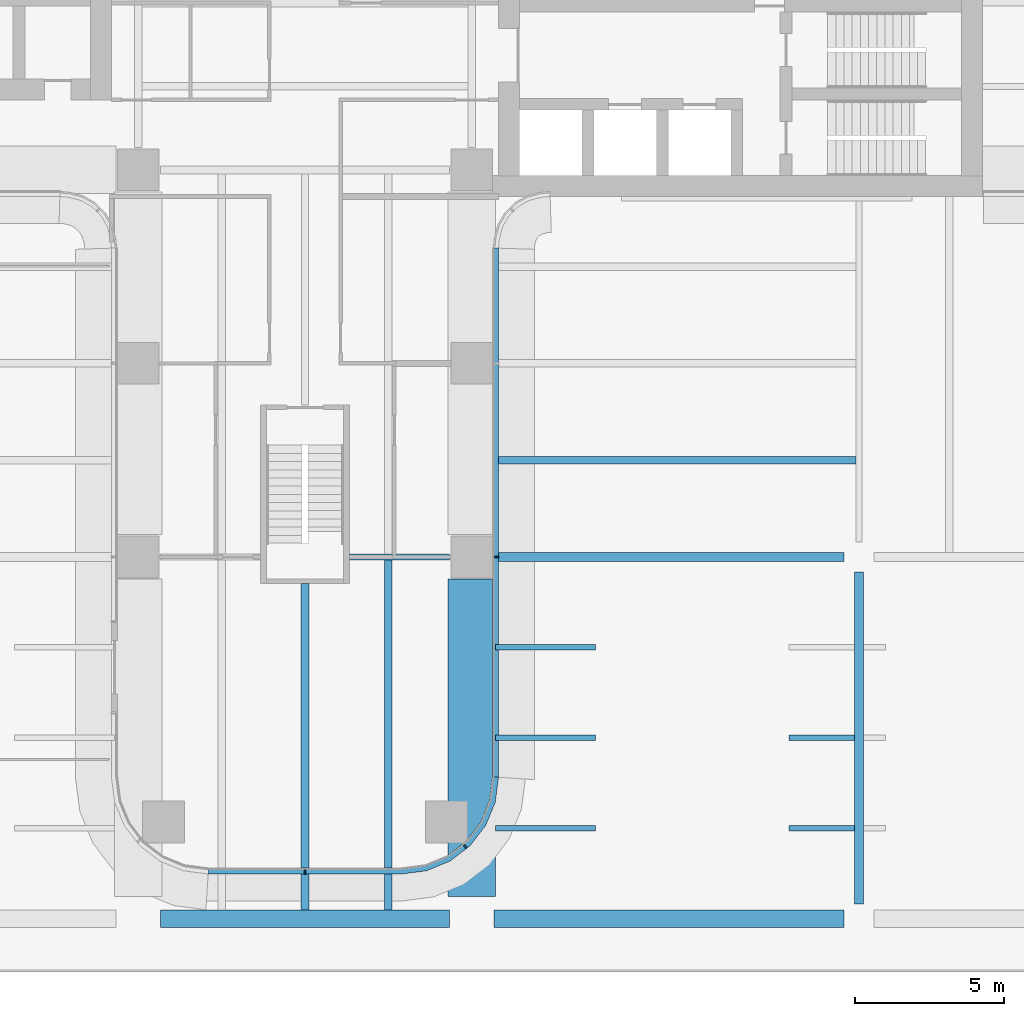
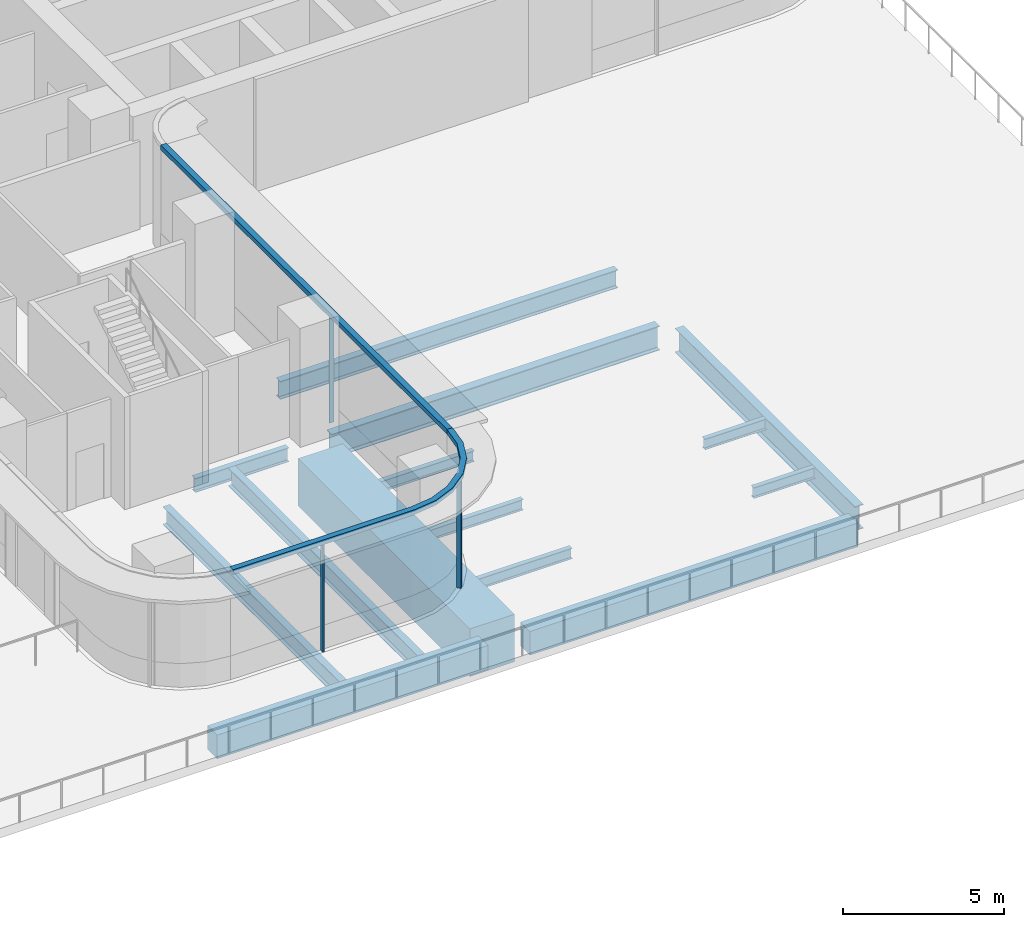
# One storey, part 5 of 29: 14 beams, 5 members, 2 elements without a shape of their own.
"""IFC4 building model written with IfcOpenShell, lengths in metres."""

from ifc_helpers import new_model, si_unit, direction, frame, origin, origin_2d, place, context, subcontext, project, spatial, polyline, rectangle, i_section, outline, extrude, source, transform, mapped, material, layer, layer_set, material_profile, profile_set, type_object, element, aggregate, save


model = new_model("IFC4")

# Units and contexts
model_context = context("Model", 3, precision=1e-05, world=origin(), true_north=direction((0.0, 1.0)))
body_context = subcontext(model_context, "Body", "Model", "MODEL_VIEW")
ifc_project = project(units=[si_unit("LENGTHUNIT", "METRE"), si_unit("AREAUNIT", "SQUARE_METRE"), si_unit("VOLUMEUNIT", "CUBIC_METRE"), si_unit("PLANEANGLEUNIT", "RADIAN"), si_unit("MASSUNIT", "GRAM", prefix="KILO")], contexts=[model_context])

# Site, building, storey
site_placement = place(None, origin())
site = spatial("IfcSite", under=ifc_project, at=site_placement, CompositionType="ELEMENT")
building_placement = place(site_placement, origin())
building = spatial("IfcBuilding", under=site, at=building_placement, Name="Trellis Farm Tower", CompositionType="ELEMENT")
storey_placement = place(building_placement, frame((0.0, 0.0, 34.0)))
storey = spatial("IfcBuildingStorey", under=building, at=storey_placement, Name="L06", CompositionType="ELEMENT", Elevation=34.0)

# Beams
ifc_material_1 = material(Name="Steel S355", Category="steel")
ifc_material_profile_1 = material_profile(ifc_material_1, i_section(OverallWidth=0.177978515625, OverallDepth=0.406494140625, WebThickness=0.0078125, FlangeThickness=0.0126953125, FilletRadius=0.01025390625, at=origin_2d()), Name="UB 406x178x60")
ifc_profile_set_1 = profile_set([ifc_material_profile_1], Name="Steel S355")
beam_type_1 = type_object("IfcBeamType", Name="UB 406x178x60 joist", PredefinedType="JOIST", material=ifc_profile_set_1)
shared_shape_1 = source(origin(), body_context, "Body", "SweptSolid", [
    extrude(i_section(OverallWidth=0.177978515625, OverallDepth=0.406494140625, WebThickness=0.0078125, FlangeThickness=0.0126953125, FilletRadius=0.01025390625, at=origin_2d()), origin(), (0.0, 0.0, 1.0), 2.197265625),
])
for number, where, z_axis, x_axis, name in (
    (1, (16.25, -27.71240234375, -0.55322265625), (1.0, 0.0, 0.0), (0.0, 1.0, 0.0), "Floor beam"),
    (2, (16.25, -24.675048828125, -0.55322265625), (1.0, 0.0, 0.0), (0.0, 1.0, 0.0), "Floor beam"),
):
    element("IfcBeam", number, at=place(storey_placement, frame(where, z_axis=z_axis, x_axis=x_axis)), inside=storey, type_object=beam_type_1, Name=name, PredefinedType="JOIST", context=body_context, shape_type="MappedRepresentation", body=[
        mapped(shared_shape_1, transform((0.0, 0.0, 0.0))),
    ])
ifc_material_profile_2 = material_profile(ifc_material_1, i_section(OverallWidth=0.209228515625, OverallDepth=0.533203125, WebThickness=0.010009765625, FlangeThickness=0.015625, FilletRadius=0.0126953125, at=origin_2d()), Name="UB 533x210x92")
ifc_profile_set_2 = profile_set([ifc_material_profile_2], Name="Steel S355")
beam_type_2 = type_object("IfcBeamType", Name="UB 533x210x92", PredefinedType="BEAM", material=ifc_profile_set_2)
shared_shape_2 = source(origin(), body_context, "Body", "SweptSolid", [
    extrude(i_section(OverallWidth=0.209228515625, OverallDepth=0.533203125, WebThickness=0.010009765625, FlangeThickness=0.015625, FilletRadius=0.0126953125, at=origin_2d()), origin(), (0.0, 0.0, 1.0), 3.35009765625),
])
beam_1_placement = place(storey_placement, frame((1.5, -18.60009765625, -0.61669921875), z_axis=(1.0, 0.0, 0.0), x_axis=(0.0, 1.0, 0.0)))
element("IfcBeam", 3, at=beam_1_placement, inside=storey, type_object=beam_type_2, Name="Girder", PredefinedType="BEAM", context=body_context, shape_type="MappedRepresentation", body=[
    mapped(shared_shape_2, transform((0.0, 0.0, 0.0))),
])
ifc_material_profile_3 = material_profile(ifc_material_1, i_section(OverallWidth=0.305419921875, OverallDepth=0.91845703125, WebThickness=0.017333984375, FlangeThickness=0.02783203125, FilletRadius=0.01904296875, at=origin_2d()), Name="UB 914x305x253")
ifc_profile_set_3 = profile_set([ifc_material_profile_3], Name="Steel S355")
beam_type_3 = type_object("IfcBeamType", Name="UB 914x305x253", PredefinedType="BEAM", material=ifc_profile_set_3)
shared_shape_3 = source(origin(), body_context, "Body", "SweptSolid", [
    extrude(i_section(OverallWidth=0.305419921875, OverallDepth=0.91845703125, WebThickness=0.017333984375, FlangeThickness=0.02783203125, FilletRadius=0.01904296875, at=origin_2d()), origin(), (0.0, 0.0, 1.0), 11.75),
])
beam_2_placement = place(storey_placement, frame((6.35009765625, -18.60009765625, -0.80908203125), z_axis=(1.0, 0.0, 0.0), x_axis=(0.0, 1.0, 0.0)))
element("IfcBeam", 4, at=beam_2_placement, inside=storey, type_object=beam_type_3, Name="Girder", PredefinedType="BEAM", context=body_context, shape_type="MappedRepresentation", body=[
    mapped(shared_shape_3, transform((0.0, 0.0, 0.0))),
])
shared_shape_4 = source(origin(), body_context, "Body", "SweptSolid", [
    extrude(i_section(OverallWidth=0.305419921875, OverallDepth=0.91845703125, WebThickness=0.017333984375, FlangeThickness=0.02783203125, FilletRadius=0.01904296875, at=origin_2d()), origin(), (0.0, 0.0, 1.0), 11.14990234375),
])
beam_3_placement = place(storey_placement, frame((18.60009765625, -30.25, -0.80908203125), z_axis=(0.0, 1.0, 0.0), x_axis=(-1.0, 0.0, 0.0)))
element("IfcBeam", 5, at=beam_3_placement, inside=storey, type_object=beam_type_3, Name="Girder", PredefinedType="BEAM", context=body_context, shape_type="MappedRepresentation", body=[
    mapped(shared_shape_4, transform((0.0, 0.0, 0.0))),
])
ifc_material_2 = material(Name="Concrete C60/75", Category="concrete")
ifc_material_profile_4 = material_profile(ifc_material_2, rectangle(XDim=0.60009765625, YDim=0.89990234375, at=origin_2d()), Name="RC spandrel beam 600x900 C60/75")
ifc_profile_set_4 = profile_set([ifc_material_profile_4], Name="Concrete C60/75")
beam_type_4 = type_object("IfcBeamType", Name="RC spandrel beam 600x900 C60/75", PredefinedType="SPANDREL", material=ifc_profile_set_4)
shared_shape_5 = source(origin(), body_context, "Body", "SweptSolid", [
    extrude(rectangle(XDim=0.60009765625, YDim=0.89990234375, at=origin_2d()), origin(), (0.0, 0.0, 1.0), 11.75),
])
beam_4_placement = place(storey_placement, frame((6.35009765625, -30.75, -0.800048828125), z_axis=(1.0, 0.0, 0.0), x_axis=(0.0, 1.0, 0.0)))
element("IfcBeam", 6, at=beam_4_placement, inside=storey, type_object=beam_type_4, Name="Girder", PredefinedType="SPANDREL", context=body_context, shape_type="MappedRepresentation", body=[
    mapped(shared_shape_5, transform((0.0, 0.0, 0.0))),
])
ifc_material_3 = material(Name="Concrete C80/95", Category="concrete")
ifc_material_profile_5 = material_profile(ifc_material_3, rectangle(XDim=1.60009765625, YDim=1.800048828125, at=origin_2d()), Name="RC transfer beam 1600x1800 C80/95")
ifc_profile_set_5 = profile_set([ifc_material_profile_5], Name="Concrete C80/95")
beam_type_5 = type_object("IfcBeamType", Name="RC transfer beam 1600x1800 C80/95", PredefinedType="BEAM", material=ifc_profile_set_5)
shared_shape_6 = source(origin(), body_context, "Body", "SweptSolid", [
    extrude(rectangle(XDim=1.60009765625, YDim=1.800048828125, at=origin_2d()), origin(), (0.0, 0.0, 1.0), 10.64990234375),
])
beam_5_placement = place(storey_placement, frame((5.60009765625, -30.0, -1.25), z_axis=(0.0, 1.0, 0.0), x_axis=(-1.0, 0.0, 0.0)))
element("IfcBeam", 7, at=beam_5_placement, inside=storey, type_object=beam_type_5, Name="Transfer girder", PredefinedType="BEAM", context=body_context, shape_type="MappedRepresentation", body=[
    mapped(shared_shape_6, transform((0.0, 0.0, 0.0))),
])
shared_shape_7 = source(origin(), body_context, "Body", "SweptSolid", [
    extrude(rectangle(XDim=0.60009765625, YDim=0.89990234375, at=origin_2d()), origin(), (0.0, 0.0, 1.0), 9.7001953125),
])
beam_6_placement = place(storey_placement, frame((-4.85009765625, -30.75, -0.800048828125), z_axis=(1.0, 0.0, 0.0), x_axis=(0.0, 1.0, 0.0)))
element("IfcBeam", 8, at=beam_6_placement, inside=storey, type_object=beam_type_4, Name="Girder", PredefinedType="SPANDREL", context=body_context, shape_type="MappedRepresentation", body=[
    mapped(shared_shape_7, transform((0.0, 0.0, 0.0))),
])
shared_shape_8 = source(origin(), body_context, "Body", "SweptSolid", [
    extrude(i_section(OverallWidth=0.177978515625, OverallDepth=0.406494140625, WebThickness=0.0078125, FlangeThickness=0.0126953125, FilletRadius=0.01025390625, at=origin_2d()), origin(), (0.0, 0.0, 1.0), 3.35009765625),
])
for number, where, z_axis, x_axis, name in (
    (9, (6.39990234375, -27.71240234375, -0.55322265625), (1.0, 0.0, 0.0), (0.0, 1.0, 0.0), "Floor beam"),
    (10, (6.39990234375, -24.675048828125, -0.55322265625), (1.0, 0.0, 0.0), (0.0, 1.0, 0.0), "Floor beam"),
    (11, (6.39990234375, -21.637451171875, -0.55322265625), (1.0, 0.0, 0.0), (0.0, 1.0, 0.0), "Floor beam"),
):
    element("IfcBeam", number, at=place(storey_placement, frame(where, z_axis=z_axis, x_axis=x_axis)), inside=storey, type_object=beam_type_1, Name=name, PredefinedType="JOIST", context=body_context, shape_type="MappedRepresentation", body=[
        mapped(shared_shape_8, transform((0.0, 0.0, 0.0))),
    ])
ifc_material_profile_6 = material_profile(ifc_material_1, i_section(OverallWidth=0.253662109375, OverallDepth=0.68359375, WebThickness=0.012451171875, FlangeThickness=0.021728515625, FilletRadius=0.01513671875, at=origin_2d()), Name="UB 686x254x140")
ifc_profile_set_6 = profile_set([ifc_material_profile_6], Name="Steel S355")
beam_type_6 = type_object("IfcBeamType", Name="UB 686x254x140 joist", PredefinedType="JOIST", material=ifc_profile_set_6)
shared_shape_9 = source(origin(), body_context, "Body", "SweptSolid", [
    extrude(i_section(OverallWidth=0.253662109375, OverallDepth=0.68359375, WebThickness=0.012451171875, FlangeThickness=0.021728515625, FilletRadius=0.01513671875, at=origin_2d()), origin(), (0.0, 0.0, 1.0), 12.095458984375),
])
beam_7_placement = place(storey_placement, frame((6.39990234375, -15.35009765625, -0.691650390625), z_axis=(1.0, 0.0, 0.0), x_axis=(0.0, 1.0, 0.0)))
element("IfcBeam", 12, at=beam_7_placement, inside=storey, type_object=beam_type_6, Name="Floor beam", PredefinedType="JOIST", context=body_context, shape_type="MappedRepresentation", body=[
    mapped(shared_shape_9, transform((0.0, 0.0, 0.0))),
])
shared_shape_10 = source(origin(), body_context, "Body", "SweptSolid", [
    extrude(i_section(OverallWidth=0.253662109375, OverallDepth=0.68359375, WebThickness=0.012451171875, FlangeThickness=0.021728515625, FilletRadius=0.01513671875, at=origin_2d()), origin(), (0.0, 0.0, 1.0), 11.745361328125),
])
beam_8_placement = place(storey_placement, frame((2.800048828125, -30.449951171875, -0.691650390625), z_axis=(0.0, 1.0, 0.0), x_axis=(-1.0, 0.0, 0.0)))
element("IfcBeam", 13, at=beam_8_placement, inside=storey, type_object=beam_type_6, Name="Floor beam", PredefinedType="JOIST", context=body_context, shape_type="MappedRepresentation", body=[
    mapped(shared_shape_10, transform((0.0, 0.0, 0.0))),
])
shared_shape_11 = source(origin(), body_context, "Body", "SweptSolid", [
    extrude(i_section(OverallWidth=0.253662109375, OverallDepth=0.68359375, WebThickness=0.012451171875, FlangeThickness=0.021728515625, FilletRadius=0.01513671875, at=origin_2d()), origin(), (0.0, 0.0, 1.0), 10.949951171875),
])
beam_9_placement = place(storey_placement, frame((0.0, -30.449951171875, -0.691650390625), z_axis=(0.0, 1.0, 0.0), x_axis=(-1.0, 0.0, 0.0)))
element("IfcBeam", 14, at=beam_9_placement, inside=storey, type_object=beam_type_6, Name="Floor beam", PredefinedType="JOIST", context=body_context, shape_type="MappedRepresentation", body=[
    mapped(shared_shape_11, transform((0.0, 0.0, 0.0))),
])

# Curtain wall, members
ifc_material_4 = material(Name="Aluminium and glass curtain wall", Category="aluminium")
ifc_layer_1 = layer(ifc_material_4, 0.18994140625)
ifc_layer_set_1 = layer_set([ifc_layer_1], Name="RIBBON CURTAIN WALL CW1")
curtain_wall_type = type_object("IfcCurtainWallType", Name="RIBBON CURTAIN WALL CW1", PredefinedType="NOTDEFINED", material=ifc_layer_set_1)
placement_1 = place(storey_placement, origin())
curtain_wall_1 = element("IfcCurtainWall", 15, at=placement_1, inside=storey, type_object=curtain_wall_type, Name="CW1 004", PredefinedType="NOTDEFINED")
ifc_material_5 = material(Name="Aluminium extrusion 6063-T6", Category="aluminium")
ifc_material_profile_7 = material_profile(ifc_material_5, rectangle(XDim=0.06005859375, YDim=0.14990234375, at=origin_2d()), Name="MULLION 60x150")
ifc_profile_set_7 = profile_set([ifc_material_profile_7], Name="Aluminium extrusion 6063-T6")
member_type_1 = type_object("IfcMemberType", Name="CW1 MULLION 60x150", PredefinedType="MULLION", material=ifc_profile_set_7)
shared_shape_12 = source(origin(), body_context, "Body", "SweptSolid", [
    extrude(rectangle(XDim=0.06005859375, YDim=0.14990234375, at=origin_2d()), origin(), (0.0, 0.0, 1.0), 4.070068359375),
])
member_1_placement = place(storey_placement, frame((0.0, -29.175048828125, 0.0), z_axis=(0.0, 0.0, 1.0), x_axis=(1.0, 0.0, 0.0)))
member_1 = element("IfcMember", 16, at=member_1_placement, type_object=member_type_1, Name="MU1 004-01", PredefinedType="MULLION", context=body_context, shape_type="MappedRepresentation", body=[
    mapped(shared_shape_12, transform((0.0, 0.0, 0.0))),
])
member_2_placement = place(storey_placement, frame((5.385498046875, -28.328369140625, 0.0), z_axis=(0.0, 0.0, 1.0), x_axis=(0.793353340291, 0.608761429009, 0.0)))
member_2 = element("IfcMember", 17, at=member_2_placement, type_object=member_type_1, Name="MU1 004-02", PredefinedType="MULLION", context=body_context, shape_type="MappedRepresentation", body=[
    mapped(shared_shape_12, transform((0.0, 0.0, 0.0))),
])

# Curtain wall, member
curtain_wall_2 = element("IfcCurtainWall", 18, at=placement_1, inside=storey, type_object=curtain_wall_type, Name="CW1 005", PredefinedType="NOTDEFINED")
member_3_placement = place(storey_placement, frame((6.425048828125, -18.60009765625, 0.0), z_axis=(0.0, 0.0, 1.0), x_axis=(0.0, 1.0, 0.0)))
member_3 = element("IfcMember", 19, at=member_3_placement, type_object=member_type_1, Name="MU1 005-01", PredefinedType="MULLION", context=body_context, shape_type="MappedRepresentation", body=[
    mapped(shared_shape_12, transform((0.0, 0.0, 0.0))),
])

# Member
ifc_layer_2 = layer(ifc_material_5, 0.199951171875)
ifc_layer_set_2 = layer_set([ifc_layer_2], Name="Aluminium extrusion 6063-T6")
member_type_2 = type_object("IfcMemberType", Name="CW1 TRANSOM 200x180", PredefinedType="USERDEFINED", material=ifc_layer_set_2)
shared_shape_13 = source(origin(), body_context, "Body", "SweptSolid", [
    extrude(outline(polyline([(-3.25, -29.25), (3.25, -29.25), (4.091064453125, -29.13916015625), (4.875, -28.814697265625), (5.548095703125, -28.298095703125), (6.064697265625, -27.625), (6.38916015625, -26.841064453125), (6.5, -26.0), (6.300048828125, -25.98681640625), (6.1943359375, -26.7890625), (5.889892578125, -27.524169921875), (5.405517578125, -28.155517578125), (4.774169921875, -28.639892578125), (4.0390625, -28.9443359375), (3.23681640625, -29.050048828125), (-3.23681640625, -29.050048828125), (-3.25, -29.25)])), origin(), (0.0, 0.0, 1.0), 0.179931640625),
])
placement_2 = place(storey_placement, frame((0.0, 0.0, 4.070068359375)))
member_4 = element("IfcMember", 20, at=placement_2, type_object=member_type_2, Name="TR1 004", ObjectType="TRANSOM", PredefinedType="USERDEFINED", context=body_context, shape_type="MappedRepresentation", body=[
    mapped(shared_shape_13, transform((0.0, 0.0, 0.0))),
])

aggregate(curtain_wall_1, [member_1, member_2, member_4])

shared_shape_14 = source(origin(), body_context, "Body", "SweptSolid", [
    extrude(outline(polyline([(6.5, -26.0), (6.5, -8.2314453125), (6.300048828125, -8.224853515625), (6.300048828125, -25.98681640625), (6.5, -26.0)])), origin(), (0.0, 0.0, 1.0), 0.179931640625),
])
member_5 = element("IfcMember", 21, at=placement_2, type_object=member_type_2, Name="TR1 005", ObjectType="TRANSOM", PredefinedType="USERDEFINED", context=body_context, shape_type="MappedRepresentation", body=[
    mapped(shared_shape_14, transform((0.0, 0.0, 0.0))),
])

aggregate(curtain_wall_2, [member_3, member_5])

save(model, "model.ifc")
